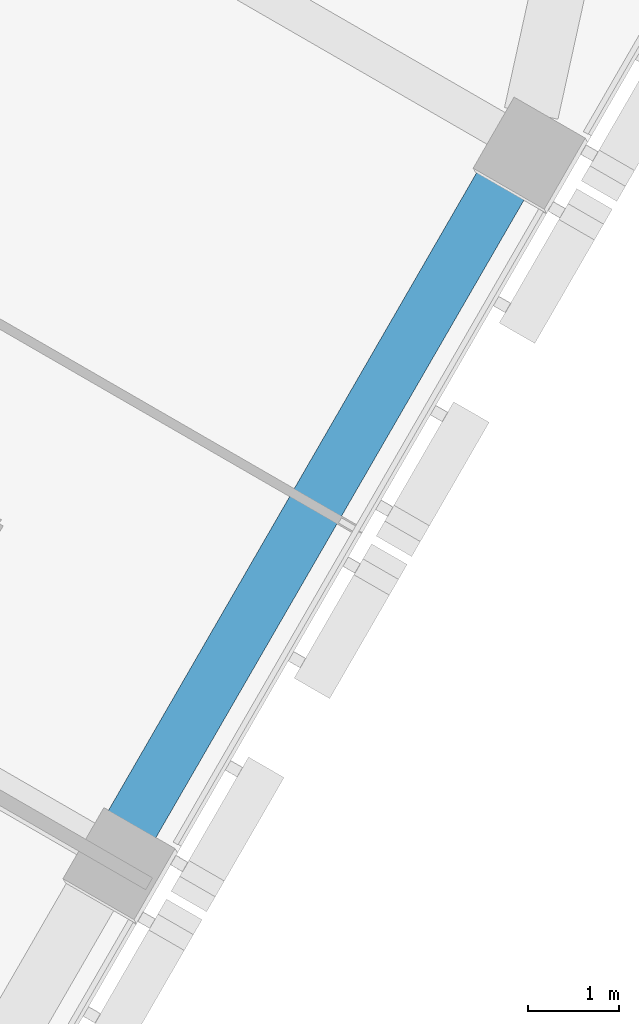
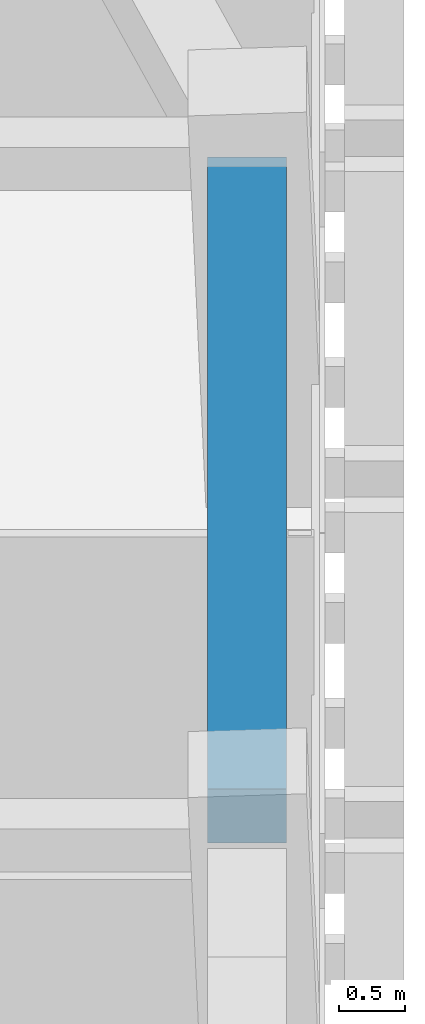
# One storey, part 5 of 18: 1 beam.
"""IFC4 building model written with IfcOpenShell, lengths in metres."""

from ifc_helpers import new_model, si_unit, direction, frame, origin, origin_2d, place, context, subcontext, project, spatial, rectangle, extrude, material, material_profile, profile_set, type_object, element, save


model = new_model("IFC4")

# Units and contexts
model_context = context("Model", 3, precision=1e-05, world=origin(), true_north=direction((0.0, 1.0)))
body_context = subcontext(model_context, "Body", "Model", "MODEL_VIEW")
ifc_project = project(units=[si_unit("LENGTHUNIT", "METRE"), si_unit("AREAUNIT", "SQUARE_METRE"), si_unit("VOLUMEUNIT", "CUBIC_METRE"), si_unit("PLANEANGLEUNIT", "RADIAN"), si_unit("MASSUNIT", "GRAM", prefix="KILO")], contexts=[model_context])

# Site, building, storey
site_placement = place(None, origin())
site = spatial("IfcSite", under=ifc_project, at=site_placement, CompositionType="ELEMENT")
building_placement = place(site_placement, origin())
building = spatial("IfcBuilding", under=site, at=building_placement, Name="Altiplano Prism Tower", CompositionType="ELEMENT")
storey_placement = place(building_placement, frame((0.0, 0.0, 41.39990234375)))
storey = spatial("IfcBuildingStorey", under=building, at=storey_placement, Name="L09", CompositionType="ELEMENT", Elevation=41.39990234375)

# Beam
ifc_material = material(Name="Concrete C60/75", Category="concrete")
ifc_material_profile = material_profile(ifc_material, rectangle(XDim=0.60009765625, YDim=0.5, at=origin_2d()), Name="Edge beam 600x500")
ifc_profile_set = profile_set([ifc_material_profile], Name="Concrete C60/75")
beam_type = type_object("IfcBeamType", Name="Edge beam 600x500", PredefinedType="SPANDREL", material=ifc_profile_set)
beam_placement = place(storey_placement, frame((104.811767578125, 78.6005859375, 2.85009765625), z_axis=(0.500014701701, 0.866016915587, 0.0), x_axis=(-0.866016915587, 0.500014701701, 0.0)))
element("IfcBeam", 1, at=beam_placement, inside=storey, type_object=beam_type, Name="Edge beam P23-P24 L10", PredefinedType="SPANDREL", context=body_context, shape_type="SweptSolid", body=[
    extrude(rectangle(XDim=0.60009765625, YDim=0.5, at=origin_2d()), origin(), (0.0, 0.0, 1.0), 8.340087890625),
])

save(model, "model.ifc")
